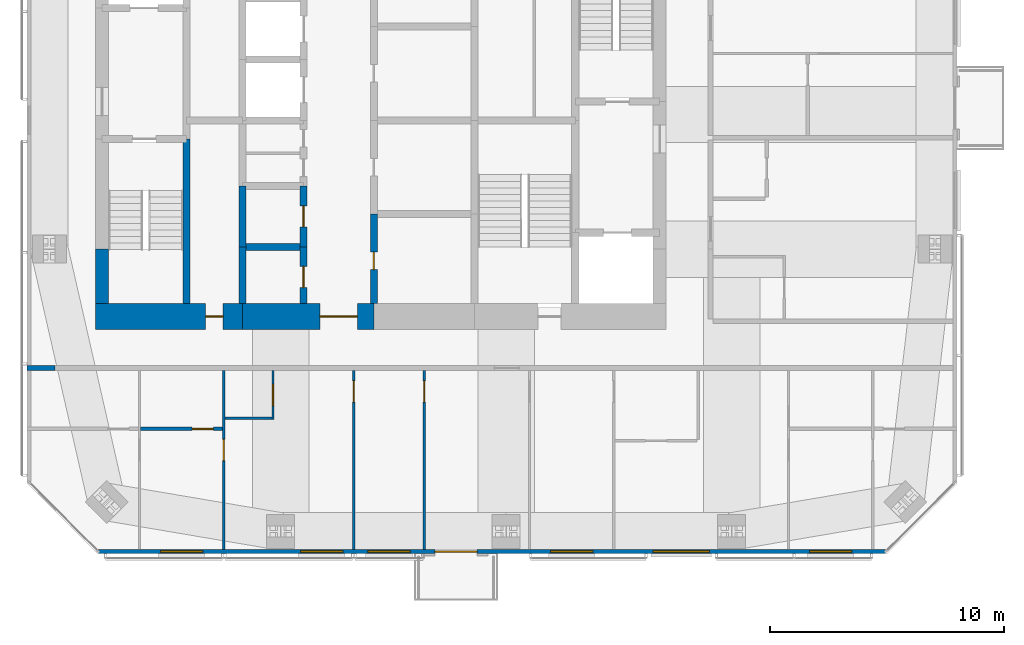
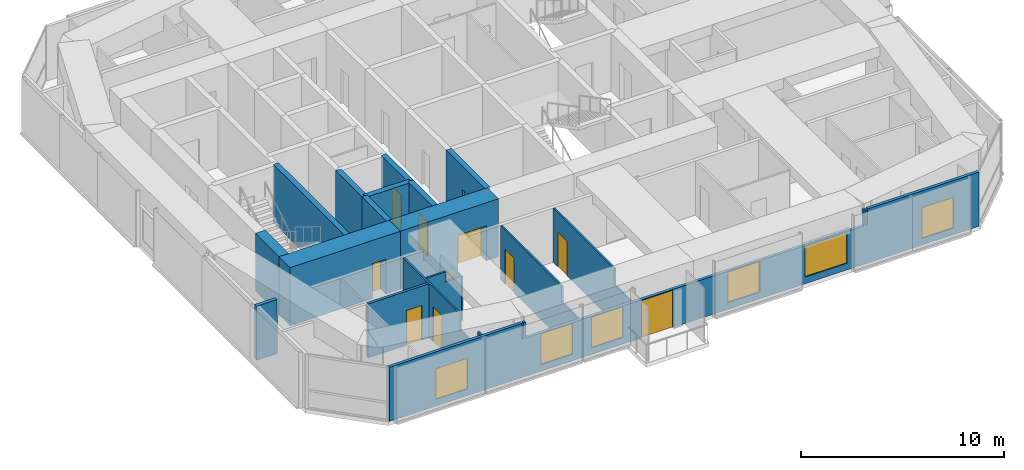
# One storey, part 13 of 18: 18 walls, 11 doors, 6 windows, 17 openings.
"""IFC4 building model written with IfcOpenShell, lengths in metres."""

from ifc_helpers import new_model, si_unit, direction, frame, frame_2d, origin, place, context, subcontext, project, spatial, polyline, rectangle, outline, extrude, material, layer, layer_set, constituent, constituent_set, type_object, element, fill, save


model = new_model("IFC4")

# Units and contexts
model_context = context("Model", 3, precision=1e-05, world=origin(), true_north=direction((0.0, 1.0)))
body_context = subcontext(model_context, "Body", "Model", "MODEL_VIEW")
ifc_project = project(units=[si_unit("LENGTHUNIT", "METRE"), si_unit("AREAUNIT", "SQUARE_METRE"), si_unit("VOLUMEUNIT", "CUBIC_METRE"), si_unit("PLANEANGLEUNIT", "RADIAN"), si_unit("MASSUNIT", "GRAM", prefix="KILO")], contexts=[model_context])

# Site, building, storey
site_placement = place(None, origin())
site = spatial("IfcSite", under=ifc_project, at=site_placement, CompositionType="ELEMENT")
building_placement = place(site_placement, origin())
building = spatial("IfcBuilding", under=site, at=building_placement, Name="Jalousie Tower", CompositionType="ELEMENT")
storey_placement = place(building_placement, frame((0.0, 0.0, 249.449951171875)))
storey = spatial("IfcBuildingStorey", under=building, at=storey_placement, Name="L68", CompositionType="ELEMENT", Elevation=249.449951171875)

# Wall, opening, door
ifc_material_1 = material(Name="Concrete block ASTM C90", Category="concrete")
ifc_constituent_1 = constituent(ifc_material_1, Name="Body")
ifc_material_2 = material(Name="Render")
ifc_constituent_2 = constituent(ifc_material_2, Name="Finish")
ifc_constituent_set_1 = constituent_set(constituents=[ifc_constituent_1, ifc_constituent_2])
wall_type_1 = type_object("IfcWallType", Name="BATHROOM WALL 150", PredefinedType="PLUMBINGWALL", material=ifc_constituent_set_1)
wall_1_placement = place(storey_placement, frame((21.64990234375, 5.324951171875, 0.0), z_axis=(0.0, 0.0, 1.0), x_axis=(1.0, 0.0, 0.0)))
wall_1 = element("IfcWall", 1, at=wall_1_placement, inside=storey, type_object=wall_type_1, Name="Bathroom Wall 150 L68", PredefinedType="PLUMBINGWALL", context=body_context, shape_type="SweptSolid", body=[
    extrude(rectangle(XDim=3.5, YDim=0.14990234375, at=frame_2d((1.75, 0.0))), origin(), (0.0, 0.0, 1.0), 3.260009765625),
])
opening_1_placement = place(wall_1_placement, frame((2.199951171875, 0.0, 0.0)))
opening_1 = element("IfcOpeningElement", 2, at=opening_1_placement, cuts=wall_1, Name="Opening D3", PredefinedType="OPENING", context=body_context, shape_type="SweptSolid", body=[
    extrude(rectangle(XDim=0.89990234375, YDim=2.10009765625, at=frame_2d((0.449951171875, 1.050048828125))), frame((0.0, 0.0849609375, 0.0), z_axis=(0.0, -1.0, 0.0), x_axis=(1.0, 0.0, 0.0)), (0.0, 0.0, 1.0), 0.169921875),
])
ifc_material_3 = material(Name="Timber door", Category="wood")
door_type_1 = type_object("IfcDoorType", Name="BATHROOM DOOR 900", OperationType="SINGLE_SWING_LEFT", PredefinedType="DOOR", material=ifc_material_3)
door_1_placement = place(opening_1_placement, origin())
door_1 = element("IfcDoor", 3, at=door_1_placement, inside=storey, type_object=door_type_1, Name="Apartment 6801 bedroom 2 bathroom door", OperationType="SINGLE_SWING_RIGHT", OverallHeight=2.10009765625, OverallWidth=0.89990234375, PredefinedType="DOOR", context=body_context, shape_type="SweptSolid", body=[
    extrude(rectangle(XDim=0.89990234375, YDim=2.10009765625, at=frame_2d((0.449951171875, 1.050048828125))), frame((0.0, 0.02490234375, 0.0), z_axis=(0.0, -1.0, 0.0), x_axis=(1.0, 0.0, 0.0)), (0.0, 0.0, 1.0), 0.050048828125),
])
fill(opening_1, door_1)

ifc_material_4 = material(Name="Concrete f'c 120 MPa", Category="concrete")
ifc_layer_1 = layer(ifc_material_4, 1.10009765625)
ifc_layer_set_1 = layer_set([ifc_layer_1], Name="Concrete f'c 120 MPa")
wall_type_2 = type_object("IfcWallType", Name="CORE WALL 1100", PredefinedType="SHEAR", material=ifc_layer_set_1)
wall_2_placement = place(storey_placement, frame((19.72509765625, 10.125, 0.0), z_axis=(0.0, 0.0, 1.0), x_axis=(1.0, 0.0, 0.0)))
wall_2 = element("IfcWall", 4, at=wall_2_placement, inside=storey, type_object=wall_type_2, Name="Core wall SA L68", PredefinedType="SHEAR", context=body_context, shape_type="SweptSolid", body=[
    extrude(rectangle(XDim=6.27490234375, YDim=1.10009765625, at=frame_2d((3.137451171875, 0.0))), origin(), (0.0, 0.0, 1.0), 3.5),
])
opening_2_placement = place(wall_2_placement, frame((4.699951171875, 0.0, 0.0)))
opening_2 = element("IfcOpeningElement", 5, at=opening_2_placement, cuts=wall_2, Name="Opening D16", PredefinedType="OPENING", context=body_context, shape_type="SweptSolid", body=[
    extrude(rectangle(XDim=0.75, YDim=2.10009765625, at=frame_2d((0.375, 1.050048828125))), frame((0.0, 0.56005859375, 0.0), z_axis=(0.0, -1.0, 0.0), x_axis=(1.0, 0.0, 0.0)), (0.0, 0.0, 1.0), 1.1201171875),
])
ifc_material_5 = material(Name="Steel fire door", Category="steel")
door_type_2 = type_object("IfcDoorType", Name="RISER DOOR 750", OperationType="SINGLE_SWING_LEFT", PredefinedType="DOOR", material=ifc_material_5)
door_2_placement = place(opening_2_placement, origin())
door_2 = element("IfcDoor", 6, at=door_2_placement, inside=storey, type_object=door_type_2, Name="South riser door", OperationType="SINGLE_SWING_RIGHT", OverallHeight=2.10009765625, OverallWidth=0.75, PredefinedType="DOOR", context=body_context, shape_type="SweptSolid", body=[
    extrude(rectangle(XDim=0.75, YDim=2.10009765625, at=frame_2d((0.375, 1.050048828125))), frame((0.0, 0.02490234375, 0.0), z_axis=(0.0, -1.0, 0.0), x_axis=(1.0, 0.0, 0.0)), (0.0, 0.0, 1.0), 0.050048828125),
])
fill(opening_2, door_2)

wall_3_placement = place(storey_placement, frame((26.0, 10.125, 0.0), z_axis=(0.0, 0.0, 1.0), x_axis=(1.0, 0.0, 0.0)))
wall_3 = element("IfcWall", 7, at=wall_3_placement, inside=storey, type_object=wall_type_2, Name="Core wall SB L68", PredefinedType="SHEAR", context=body_context, shape_type="SweptSolid", body=[
    extrude(rectangle(XDim=5.60009765625, YDim=1.10009765625, at=frame_2d((2.800048828125, 0.0))), origin(), (0.0, 0.0, 1.0), 3.5),
])
opening_3_placement = place(wall_3_placement, frame((3.300048828125, 0.0, 0.0)))
opening_3 = element("IfcOpeningElement", 8, at=opening_3_placement, cuts=wall_3, Name="Opening D15", PredefinedType="OPENING", context=body_context, shape_type="SweptSolid", body=[
    extrude(rectangle(XDim=1.60009765625, YDim=2.10009765625, at=frame_2d((0.800048828125, 1.050048828125))), frame((0.0, 0.56005859375, 0.0), z_axis=(0.0, -1.0, 0.0), x_axis=(1.0, 0.0, 0.0)), (0.0, 0.0, 1.0), 1.1201171875),
])
ifc_material_6 = material(Name="Steel fire door", Category="steel")
door_type_3 = type_object("IfcDoorType", Name="LIFT LOBBY DOOR 1600", OperationType="DOUBLE_DOOR_SINGLE_SWING", PredefinedType="DOOR", material=ifc_material_6)
door_3_placement = place(opening_3_placement, origin())
door_3 = element("IfcDoor", 9, at=door_3_placement, inside=storey, type_object=door_type_3, Name="Lift lobby south door", OperationType="DOUBLE_DOOR_SINGLE_SWING", OverallHeight=2.10009765625, OverallWidth=1.60009765625, PredefinedType="DOOR", context=body_context, shape_type="SweptSolid", body=[
    extrude(rectangle(XDim=1.60009765625, YDim=2.10009765625, at=frame_2d((0.800048828125, 1.050048828125))), frame((0.0, 0.02490234375, 0.0), z_axis=(0.0, -1.0, 0.0), x_axis=(1.0, 0.0, 0.0)), (0.0, 0.0, 1.0), 0.050048828125),
])
fill(opening_3, door_3)

# Walls
ifc_material_7 = material(Name="Concrete f'c 120 MPa", Category="concrete")
ifc_layer_2 = layer(ifc_material_7, 0.300048828125)
ifc_layer_set_2 = layer_set([ifc_layer_2], Name="Concrete f'c 120 MPa")
wall_type_3 = type_object("IfcWallType", Name="CORE WALL 300", PredefinedType="SHEAR", material=ifc_layer_set_2)
wall_4_placement = place(storey_placement, frame((23.60009765625, 10.675048828125, 0.0), z_axis=(0.0, 0.0, 1.0), x_axis=(0.0, 1.0, 0.0)))
element("IfcWall", 10, at=wall_4_placement, inside=storey, type_object=wall_type_3, Name="Core wall X23.6A L68", PredefinedType="SHEAR", context=body_context, shape_type="SweptSolid", body=[
    extrude(rectangle(XDim=7.02490234375, YDim=0.300048828125, at=frame_2d((3.512451171875, 0.0))), origin(), (0.0, 0.0, 1.0), 3.5),
])
wall_5_placement = place(storey_placement, frame((26.0, 10.675048828125, 0.0), z_axis=(0.0, 0.0, 1.0), x_axis=(0.0, 1.0, 0.0)))
element("IfcWall", 11, at=wall_5_placement, inside=storey, type_object=wall_type_3, Name="Core wall X26A L68", PredefinedType="SHEAR", context=body_context, shape_type="SweptSolid", body=[
    extrude(rectangle(XDim=2.425048828125, YDim=0.300048828125, at=frame_2d((1.21240234375, 0.0))), origin(), (0.0, 0.0, 1.0), 3.5),
])
wall_6_placement = place(storey_placement, frame((26.0, 13.10009765625, 0.0), z_axis=(0.0, 0.0, 1.0), x_axis=(0.0, 1.0, 0.0)))
element("IfcWall", 12, at=wall_6_placement, inside=storey, type_object=wall_type_3, Name="Core wall X26B L68", PredefinedType="SHEAR", context=body_context, shape_type="SweptSolid", body=[
    extrude(rectangle(XDim=2.599853515625, YDim=0.300048828125, at=frame_2d((1.2998046875, 0.0))), origin(), (0.0, 0.0, 1.0), 3.5),
])

# Wall, opening, door
wall_7_placement = place(storey_placement, frame((28.60009765625, 10.675048828125, 0.0), z_axis=(0.0, 0.0, 1.0), x_axis=(0.0, 1.0, 0.0)))
wall_7 = element("IfcWall", 13, at=wall_7_placement, inside=storey, type_object=wall_type_3, Name="Core wall X28.6A L68", PredefinedType="SHEAR", context=body_context, shape_type="SweptSolid", body=[
    extrude(rectangle(XDim=2.425048828125, YDim=0.300048828125, at=frame_2d((1.21240234375, 0.0))), origin(), (0.0, 0.0, 1.0), 3.5),
])
opening_4_placement = place(wall_7_placement, frame((0.6875, 0.0, 0.0)))
opening_4 = element("IfcOpeningElement", 14, at=opening_4_placement, cuts=wall_7, Name="Opening D24", PredefinedType="OPENING", context=body_context, shape_type="SweptSolid", body=[
    extrude(rectangle(XDim=0.89990234375, YDim=2.10009765625, at=frame_2d((0.449951171875, 1.050048828125))), frame((0.0, 0.159912109375, 0.0), z_axis=(0.0, -1.0, 0.0), x_axis=(1.0, 0.0, 0.0)), (0.0, 0.0, 1.0), 0.320068359375),
])
ifc_material_8 = material(Name="Steel fire door", Category="steel")
door_type_4 = type_object("IfcDoorType", Name="CORE ROOM DOOR 900", OperationType="SINGLE_SWING_LEFT", PredefinedType="DOOR", material=ifc_material_8)
door_4_placement = place(opening_4_placement, origin())
door_4 = element("IfcDoor", 15, at=door_4_placement, inside=storey, type_object=door_type_4, Name="Staff WC door", OperationType="SINGLE_SWING_RIGHT", OverallHeight=2.10009765625, OverallWidth=0.89990234375, PredefinedType="DOOR", context=body_context, shape_type="SweptSolid", body=[
    extrude(rectangle(XDim=0.89990234375, YDim=2.10009765625, at=frame_2d((0.449951171875, 1.050048828125))), frame((0.0, 0.02490234375, 0.0), z_axis=(0.0, -1.0, 0.0), x_axis=(1.0, 0.0, 0.0)), (0.0, 0.0, 1.0), 0.050048828125),
])
fill(opening_4, door_4)

wall_8_placement = place(storey_placement, frame((28.60009765625, 13.10009765625, 0.0), z_axis=(0.0, 0.0, 1.0), x_axis=(0.0, 1.0, 0.0)))
wall_8 = element("IfcWall", 16, at=wall_8_placement, inside=storey, type_object=wall_type_3, Name="Core wall X28.6B L68", PredefinedType="SHEAR", context=body_context, shape_type="SweptSolid", body=[
    extrude(rectangle(XDim=2.599853515625, YDim=0.300048828125, at=frame_2d((1.2998046875, 0.0))), origin(), (0.0, 0.0, 1.0), 3.5),
])
opening_5_placement = place(wall_8_placement, frame((0.85009765625, 0.0, 0.0)))
opening_5 = element("IfcOpeningElement", 17, at=opening_5_placement, cuts=wall_8, Name="Opening D24", PredefinedType="OPENING", context=body_context, shape_type="SweptSolid", body=[
    extrude(rectangle(XDim=0.89990234375, YDim=2.10009765625, at=frame_2d((0.449951171875, 1.050048828125))), frame((0.0, 0.159912109375, 0.0), z_axis=(0.0, -1.0, 0.0), x_axis=(1.0, 0.0, 0.0)), (0.0, 0.0, 1.0), 0.320068359375),
])
door_5_placement = place(opening_5_placement, origin())
door_5 = element("IfcDoor", 18, at=door_5_placement, inside=storey, type_object=door_type_4, Name="Pantry door", OperationType="SINGLE_SWING_RIGHT", OverallHeight=2.10009765625, OverallWidth=0.89990234375, PredefinedType="DOOR", context=body_context, shape_type="SweptSolid", body=[
    extrude(rectangle(XDim=0.89990234375, YDim=2.10009765625, at=frame_2d((0.449951171875, 1.050048828125))), frame((0.0, 0.02490234375, 0.0), z_axis=(0.0, -1.0, 0.0), x_axis=(1.0, 0.0, 0.0)), (0.0, 0.0, 1.0), 0.050048828125),
])
fill(opening_5, door_5)

wall_9_placement = place(storey_placement, frame((31.60009765625, 10.675048828125, 0.0), z_axis=(0.0, 0.0, 1.0), x_axis=(0.0, 1.0, 0.0)))
wall_9 = element("IfcWall", 19, at=wall_9_placement, inside=storey, type_object=wall_type_3, Name="Core wall X31.6A L68", PredefinedType="SHEAR", context=body_context, shape_type="SweptSolid", body=[
    extrude(rectangle(XDim=3.824951171875, YDim=0.300048828125, at=frame_2d((1.91259765625, 0.0))), origin(), (0.0, 0.0, 1.0), 3.5),
])
opening_6_placement = place(wall_9_placement, frame((1.449951171875, 0.0, 0.0)))
opening_6 = element("IfcOpeningElement", 20, at=opening_6_placement, cuts=wall_9, Name="Opening D16", PredefinedType="OPENING", context=body_context, shape_type="SweptSolid", body=[
    extrude(rectangle(XDim=0.75, YDim=2.10009765625, at=frame_2d((0.375, 1.050048828125))), frame((0.0, 0.159912109375, 0.0), z_axis=(0.0, -1.0, 0.0), x_axis=(1.0, 0.0, 0.0)), (0.0, 0.0, 1.0), 0.320068359375),
])
door_6_placement = place(opening_6_placement, frame((0.75, 0.0, 0.0), z_axis=(0.0, 0.0, 1.0), x_axis=(-1.0, 0.0, 0.0)))
door_6 = element("IfcDoor", 21, at=door_6_placement, inside=storey, type_object=door_type_2, Name="Refuse Room door", OperationType="SINGLE_SWING_RIGHT", OverallHeight=2.10009765625, OverallWidth=0.75, PredefinedType="DOOR", context=body_context, shape_type="SweptSolid", body=[
    extrude(rectangle(XDim=0.75, YDim=2.10009765625, at=frame_2d((0.375, 1.050048828125))), frame((0.0, 0.02490234375, 0.0), z_axis=(0.0, -1.0, 0.0), x_axis=(1.0, 0.0, 0.0)), (0.0, 0.0, 1.0), 0.050048828125),
])
fill(opening_6, door_6)

# Walls
wall_10_placement = place(storey_placement, frame((26.0, 13.10009765625, 0.0), z_axis=(0.0, 0.0, 1.0), x_axis=(1.0, 0.0, 0.0)))
element("IfcWall", 22, at=wall_10_placement, inside=storey, type_object=wall_type_3, Name="Core wall Y26-13.1 L68", PredefinedType="SHEAR", context=body_context, shape_type="SweptSolid", body=[
    extrude(rectangle(XDim=2.60009765625, YDim=0.300048828125, at=frame_2d((1.300048828125, 0.0))), origin(), (0.0, 0.0, 1.0), 3.5),
])
ifc_material_9 = material(Name="Concrete f'c 120 MPa", Category="concrete")
ifc_layer_3 = layer(ifc_material_9, 0.550048828125)
ifc_layer_set_3 = layer_set([ifc_layer_3], Name="Concrete f'c 120 MPa")
wall_type_4 = type_object("IfcWallType", Name="CORE WALL 550", PredefinedType="SHEAR", material=ifc_layer_set_3)
wall_11_placement = place(storey_placement, frame((20.0, 13.0, 0.0), z_axis=(0.0, 0.0, 1.0), x_axis=(0.0, -1.0, 0.0)))
element("IfcWall", 23, at=wall_11_placement, inside=storey, type_object=wall_type_4, Name="Core wall WD L68", PredefinedType="SHEAR", context=body_context, shape_type="SweptSolid", body=[
    extrude(rectangle(XDim=2.324951171875, YDim=0.550048828125, at=frame_2d((1.16259765625, 0.0))), origin(), (0.0, 0.0, 1.0), 3.5),
])

# Wall, openings, door, windows
ifc_material_10 = material(Name="Concrete f'c 40 MPa", Category="concrete")
ifc_constituent_3 = constituent(ifc_material_10, Name="Body")
ifc_material_11 = material(Name="Render, pastel sky blue")
ifc_constituent_4 = constituent(ifc_material_11, Name="Finish")
ifc_constituent_set_2 = constituent_set(constituents=[ifc_constituent_3, ifc_constituent_4])
wall_type_5 = type_object("IfcWallType", Name="EXTERNAL WALL 175 SKY BLUE RENDER", PredefinedType="SOLIDWALL", material=ifc_constituent_set_2)
wall_12_placement = place(storey_placement, frame((19.851318359375, 0.08740234375, 0.0), z_axis=(0.0, 0.0, 1.0), x_axis=(1.0, 0.0, 0.0)))
wall_12 = element("IfcWall", 24, at=wall_12_placement, inside=storey, type_object=wall_type_5, Name="External Wall 175 Sky Blue Render L68", PredefinedType="SOLIDWALL", context=body_context, shape_type="SweptSolid", body=[
    extrude(outline(polyline([(0.0, 0.0), (33.597412109375, 0.0), (33.597412109375, 3.260009765625), (27.238525390625, 3.260009765625), (27.238525390625, 2.300048828125), (27.155029296875, 2.300048828125), (27.155029296875, 3.260009765625), (27.023681640625, 3.260009765625), (27.023681640625, 2.300048828125), (7.773681640625, 2.300048828125), (7.773681640625, 3.260009765625), (7.642333984375, 3.260009765625), (7.642333984375, 2.300048828125), (7.558837890625, 2.300048828125), (7.558837890625, 3.260009765625), (0.0, 3.260009765625), (0.0, 0.0)])), frame((0.0, 0.08740234375, 0.0), z_axis=(0.0, -1.0, 0.0), x_axis=(1.0, 0.0, 0.0)), (0.0, 0.0, 1.0), 0.175048828125),
])
opening_7_placement = place(wall_12_placement, frame((2.648681640625, 0.0, 0.39990234375)))
opening_7 = element("IfcOpeningElement", 25, at=opening_7_placement, cuts=wall_12, Name="Opening W-BED185", PredefinedType="OPENING", context=body_context, shape_type="SweptSolid", body=[
    extrude(rectangle(XDim=1.800048828125, YDim=1.85009765625, at=frame_2d((0.89990234375, 0.925048828125))), frame((0.0, 0.097412109375, 0.0), z_axis=(0.0, -1.0, 0.0), x_axis=(1.0, 0.0, 0.0)), (0.0, 0.0, 1.0), 0.195068359375),
])
opening_8_placement = place(wall_12_placement, frame((8.625, 0.0, 0.39990234375)))
opening_8 = element("IfcOpeningElement", 26, at=opening_8_placement, cuts=wall_12, Name="Opening W-BED185", PredefinedType="OPENING", context=body_context, shape_type="SweptSolid", body=[
    extrude(rectangle(XDim=1.800048828125, YDim=1.85009765625, at=frame_2d((0.89990234375, 0.925048828125))), frame((0.0, 0.097412109375, 0.0), z_axis=(0.0, -1.0, 0.0), x_axis=(1.0, 0.0, 0.0)), (0.0, 0.0, 1.0), 0.195068359375),
])
opening_9_placement = place(wall_12_placement, frame((11.498779296875, 0.0, 0.39990234375)))
opening_9 = element("IfcOpeningElement", 27, at=opening_9_placement, cuts=wall_12, Name="Opening W-BED185", PredefinedType="OPENING", context=body_context, shape_type="SweptSolid", body=[
    extrude(rectangle(XDim=1.800048828125, YDim=1.85009765625, at=frame_2d((0.89990234375, 0.925048828125))), frame((0.0, 0.097412109375, 0.0), z_axis=(0.0, -1.0, 0.0), x_axis=(1.0, 0.0, 0.0)), (0.0, 0.0, 1.0), 0.195068359375),
])
opening_10_placement = place(wall_12_placement, frame((14.358642578125, 0.0, 0.0)))
opening_10 = element("IfcOpeningElement", 28, at=opening_10_placement, cuts=wall_12, Name="Opening D-BAL22", PredefinedType="OPENING", context=body_context, shape_type="SweptSolid", body=[
    extrude(rectangle(XDim=1.800048828125, YDim=2.25, at=frame_2d((0.89990234375, 1.125))), frame((0.0, 0.097412109375, 0.0), z_axis=(0.0, -1.0, 0.0), x_axis=(1.0, 0.0, 0.0)), (0.0, 0.0, 1.0), 0.195068359375),
])
opening_11_placement = place(wall_12_placement, frame((19.298583984375, 0.0, 0.39990234375)))
opening_11 = element("IfcOpeningElement", 29, at=opening_11_placement, cuts=wall_12, Name="Opening W-BED185", PredefinedType="OPENING", context=body_context, shape_type="SweptSolid", body=[
    extrude(rectangle(XDim=1.800048828125, YDim=1.85009765625, at=frame_2d((0.89990234375, 0.925048828125))), frame((0.0, 0.097412109375, 0.0), z_axis=(0.0, -1.0, 0.0), x_axis=(1.0, 0.0, 0.0)), (0.0, 0.0, 1.0), 0.195068359375),
])
opening_12_placement = place(wall_12_placement, frame((23.673583984375, 0.0, 0.39990234375)))
opening_12 = element("IfcOpeningElement", 30, at=opening_12_placement, cuts=wall_12, Name="Opening W-LIV185", PredefinedType="OPENING", context=body_context, shape_type="SweptSolid", body=[
    extrude(rectangle(XDim=2.39990234375, YDim=1.85009765625, at=frame_2d((1.199951171875, 0.925048828125))), frame((0.0, 0.097412109375, 0.0), z_axis=(0.0, -1.0, 0.0), x_axis=(1.0, 0.0, 0.0)), (0.0, 0.0, 1.0), 0.195068359375),
])
opening_13_placement = place(wall_12_placement, frame((30.3486328125, 0.0, 0.39990234375)))
opening_13 = element("IfcOpeningElement", 31, at=opening_13_placement, cuts=wall_12, Name="Opening W-BED185", PredefinedType="OPENING", context=body_context, shape_type="SweptSolid", body=[
    extrude(rectangle(XDim=1.800048828125, YDim=1.85009765625, at=frame_2d((0.89990234375, 0.925048828125))), frame((0.0, 0.097412109375, 0.0), z_axis=(0.0, -1.0, 0.0), x_axis=(1.0, 0.0, 0.0)), (0.0, 0.0, 1.0), 0.195068359375),
])
ifc_material_12 = material(Name="Aluminium frame, impact-rated glazing", Category="aluminium")
door_type_5 = type_object("IfcDoorType", Name="BALCONY DOOR 1800x2250", OperationType="SLIDING_TO_LEFT", PredefinedType="DOOR", material=ifc_material_12)
door_7_placement = place(opening_10_placement, origin())
door_7 = element("IfcDoor", 32, at=door_7_placement, inside=storey, type_object=door_type_5, Name="Apartment 6801 snug balcony door", OperationType="SLIDING_TO_LEFT", OverallHeight=2.25, OverallWidth=1.800048828125, PredefinedType="DOOR", context=body_context, shape_type="SweptSolid", body=[
    extrude(rectangle(XDim=1.800048828125, YDim=2.25, at=frame_2d((0.89990234375, 1.125))), frame((0.0, 0.02490234375, 0.0), z_axis=(0.0, -1.0, 0.0), x_axis=(1.0, 0.0, 0.0)), (0.0, 0.0, 1.0), 0.050048828125),
])
fill(opening_10, door_7)
ifc_material_13 = material(Name="Aluminium frame, impact-rated glazing", Category="aluminium")
window_type_1 = type_object("IfcWindowType", Name="WINDOW BED 1800x1850", PartitioningType="SINGLE_PANEL", PredefinedType="WINDOW", material=ifc_material_13)
window_1_placement = place(opening_7_placement, origin())
window_1 = element("IfcWindow", 33, at=window_1_placement, inside=storey, type_object=window_type_1, Name="Apartment 6801 bedroom 2 window", OverallHeight=1.85009765625, OverallWidth=1.800048828125, PartitioningType="SINGLE_PANEL", PredefinedType="WINDOW", context=body_context, shape_type="SweptSolid", body=[
    extrude(rectangle(XDim=1.800048828125, YDim=1.85009765625, at=frame_2d((0.89990234375, 0.925048828125))), frame((0.0, 0.030029296875, 0.0), z_axis=(0.0, -1.0, 0.0), x_axis=(1.0, 0.0, 0.0)), (0.0, 0.0, 1.0), 0.06005859375),
])
fill(opening_7, window_1)
window_2_placement = place(opening_8_placement, origin())
window_2 = element("IfcWindow", 34, at=window_2_placement, inside=storey, type_object=window_type_1, Name="Apartment 6801 study window", OverallHeight=1.85009765625, OverallWidth=1.800048828125, PartitioningType="SINGLE_PANEL", PredefinedType="WINDOW", context=body_context, shape_type="SweptSolid", body=[
    extrude(rectangle(XDim=1.800048828125, YDim=1.85009765625, at=frame_2d((0.89990234375, 0.925048828125))), frame((0.0, 0.030029296875, 0.0), z_axis=(0.0, -1.0, 0.0), x_axis=(1.0, 0.0, 0.0)), (0.0, 0.0, 1.0), 0.06005859375),
])
fill(opening_8, window_2)
window_3_placement = place(opening_9_placement, origin())
window_3 = element("IfcWindow", 35, at=window_3_placement, inside=storey, type_object=window_type_1, Name="Apartment 6801 home office window", OverallHeight=1.85009765625, OverallWidth=1.800048828125, PartitioningType="SINGLE_PANEL", PredefinedType="WINDOW", context=body_context, shape_type="SweptSolid", body=[
    extrude(rectangle(XDim=1.800048828125, YDim=1.85009765625, at=frame_2d((0.89990234375, 0.925048828125))), frame((0.0, 0.030029296875, 0.0), z_axis=(0.0, -1.0, 0.0), x_axis=(1.0, 0.0, 0.0)), (0.0, 0.0, 1.0), 0.06005859375),
])
fill(opening_9, window_3)
window_4_placement = place(opening_11_placement, origin())
window_4 = element("IfcWindow", 36, at=window_4_placement, inside=storey, type_object=window_type_1, Name="Apartment 6801 den window", OverallHeight=1.85009765625, OverallWidth=1.800048828125, PartitioningType="SINGLE_PANEL", PredefinedType="WINDOW", context=body_context, shape_type="SweptSolid", body=[
    extrude(rectangle(XDim=1.800048828125, YDim=1.85009765625, at=frame_2d((0.89990234375, 0.925048828125))), frame((0.0, 0.030029296875, 0.0), z_axis=(0.0, -1.0, 0.0), x_axis=(1.0, 0.0, 0.0)), (0.0, 0.0, 1.0), 0.06005859375),
])
fill(opening_11, window_4)
window_5_placement = place(opening_13_placement, origin())
window_5 = element("IfcWindow", 37, at=window_5_placement, inside=storey, type_object=window_type_1, Name="Apartment 6801 bedroom 3 window", OverallHeight=1.85009765625, OverallWidth=1.800048828125, PartitioningType="SINGLE_PANEL", PredefinedType="WINDOW", context=body_context, shape_type="SweptSolid", body=[
    extrude(rectangle(XDim=1.800048828125, YDim=1.85009765625, at=frame_2d((0.89990234375, 0.925048828125))), frame((0.0, 0.030029296875, 0.0), z_axis=(0.0, -1.0, 0.0), x_axis=(1.0, 0.0, 0.0)), (0.0, 0.0, 1.0), 0.06005859375),
])
fill(opening_13, window_5)
ifc_material_14 = material(Name="Aluminium frame, impact-rated glazing", Category="aluminium")
window_type_2 = type_object("IfcWindowType", Name="WINDOW LIV 2400x1850", PartitioningType="DOUBLE_PANEL_VERTICAL", PredefinedType="WINDOW", material=ifc_material_14)
window_6_placement = place(opening_12_placement, origin())
window_6 = element("IfcWindow", 38, at=window_6_placement, inside=storey, type_object=window_type_2, Name="Apartment 6801 living and dining room window", OverallHeight=1.85009765625, OverallWidth=2.39990234375, PartitioningType="SINGLE_PANEL", PredefinedType="WINDOW", context=body_context, shape_type="SweptSolid", body=[
    extrude(rectangle(XDim=2.39990234375, YDim=1.85009765625, at=frame_2d((1.199951171875, 0.925048828125))), frame((0.0, 0.030029296875, 0.0), z_axis=(0.0, -1.0, 0.0), x_axis=(1.0, 0.0, 0.0)), (0.0, 0.0, 1.0), 0.06005859375),
])
fill(opening_12, window_6)

# Wall, opening, door
ifc_material_15 = material(Name="Gypsum board", Category="gypsum")
ifc_constituent_5 = constituent(ifc_material_15, Name="Body")
ifc_material_16 = material(Name="Light-gauge steel studs ASTM A653 SS Grade 33", Category="steel")
ifc_constituent_6 = constituent(ifc_material_16, Name="Framing")
ifc_constituent_set_3 = constituent_set(constituents=[ifc_constituent_5, ifc_constituent_6])
wall_type_6 = type_object("IfcWallType", Name="PARTITION 100", PredefinedType="PARTITIONING", material=ifc_constituent_set_3)
wall_13_placement = place(storey_placement, frame((25.199951171875, 0.175048828125, 0.0), z_axis=(0.0, 0.0, 1.0), x_axis=(0.0, 1.0, 0.0)))
wall_13 = element("IfcWall", 39, at=wall_13_placement, inside=storey, type_object=wall_type_6, Name="Partition 100 L68", PredefinedType="PARTITIONING", context=body_context, shape_type="SweptSolid", body=[
    extrude(outline(polyline([(0.0, 0.0), (7.64990234375, 0.0), (7.64990234375, 3.260009765625), (2.05810546875, 3.260009765625), (2.05810546875, 2.300048828125), (0.313720703125, 2.300048828125), (0.313720703125, 3.260009765625), (0.0, 3.260009765625), (0.0, 0.0)])), frame((0.0, 0.050048828125, 0.0), z_axis=(0.0, -1.0, 0.0), x_axis=(1.0, 0.0, 0.0)), (0.0, 0.0, 1.0), 0.10009765625),
])
opening_14_placement = place(wall_13_placement, frame((3.800048828125, 0.0, 0.0)))
opening_14 = element("IfcOpeningElement", 40, at=opening_14_placement, cuts=wall_13, Name="Opening D2", PredefinedType="OPENING", context=body_context, shape_type="SweptSolid", body=[
    extrude(rectangle(XDim=0.89990234375, YDim=2.10009765625, at=frame_2d((0.449951171875, 1.050048828125))), frame((0.0, 0.06005859375, 0.0), z_axis=(0.0, -1.0, 0.0), x_axis=(1.0, 0.0, 0.0)), (0.0, 0.0, 1.0), 0.1201171875),
])
ifc_material_17 = material(Name="Timber door", Category="wood")
door_type_6 = type_object("IfcDoorType", Name="BEDROOM DOOR 900", OperationType="SINGLE_SWING_LEFT", PredefinedType="DOOR", material=ifc_material_17)
door_8_placement = place(opening_14_placement, frame((0.89990234375, 0.0, 0.0), z_axis=(0.0, 0.0, 1.0), x_axis=(-1.0, 0.0, 0.0)))
door_8 = element("IfcDoor", 41, at=door_8_placement, inside=storey, type_object=door_type_6, Name="Apartment 6801 bedroom 2 door", OperationType="SINGLE_SWING_LEFT", OverallHeight=2.10009765625, OverallWidth=0.89990234375, PredefinedType="DOOR", context=body_context, shape_type="SweptSolid", body=[
    extrude(rectangle(XDim=0.89990234375, YDim=2.10009765625, at=frame_2d((0.449951171875, 1.050048828125))), frame((0.0, 0.02490234375, 0.0), z_axis=(0.0, -1.0, 0.0), x_axis=(1.0, 0.0, 0.0)), (0.0, 0.0, 1.0), 0.050048828125),
])
fill(opening_14, door_8)

wall_14_placement = place(storey_placement, frame((30.75, 0.175048828125, 0.0), z_axis=(0.0, 0.0, 1.0), x_axis=(0.0, 1.0, 0.0)))
wall_14 = element("IfcWall", 42, at=wall_14_placement, inside=storey, type_object=wall_type_6, Name="Partition 100 L68", PredefinedType="PARTITIONING", context=body_context, shape_type="SweptSolid", body=[
    extrude(outline(polyline([(0.0, 0.0), (7.64990234375, 0.0), (7.64990234375, 3.260009765625), (1.635009765625, 3.260009765625), (1.635009765625, 2.300048828125), (0.0, 2.300048828125), (0.0, 3.260009765625), (0.0, 0.0)])), frame((0.0, 0.050048828125, 0.0), z_axis=(0.0, -1.0, 0.0), x_axis=(1.0, 0.0, 0.0)), (0.0, 0.0, 1.0), 0.10009765625),
])
opening_15_placement = place(wall_14_placement, frame((6.300048828125, 0.0, 0.0)))
opening_15 = element("IfcOpeningElement", 43, at=opening_15_placement, cuts=wall_14, Name="Opening D2", PredefinedType="OPENING", context=body_context, shape_type="SweptSolid", body=[
    extrude(rectangle(XDim=0.89990234375, YDim=2.10009765625, at=frame_2d((0.449951171875, 1.050048828125))), frame((0.0, 0.06005859375, 0.0), z_axis=(0.0, -1.0, 0.0), x_axis=(1.0, 0.0, 0.0)), (0.0, 0.0, 1.0), 0.1201171875),
])
door_9_placement = place(opening_15_placement, origin())
door_9 = element("IfcDoor", 44, at=door_9_placement, inside=storey, type_object=door_type_6, Name="Apartment 6801 study door", OperationType="SINGLE_SWING_RIGHT", OverallHeight=2.10009765625, OverallWidth=0.89990234375, PredefinedType="DOOR", context=body_context, shape_type="SweptSolid", body=[
    extrude(rectangle(XDim=0.89990234375, YDim=2.10009765625, at=frame_2d((0.449951171875, 1.050048828125))), frame((0.0, 0.02490234375, 0.0), z_axis=(0.0, -1.0, 0.0), x_axis=(1.0, 0.0, 0.0)), (0.0, 0.0, 1.0), 0.050048828125),
])
fill(opening_15, door_9)

wall_15_placement = place(storey_placement, frame((33.75, 0.175048828125, 0.0), z_axis=(0.0, 0.0, 1.0), x_axis=(0.0, 1.0, 0.0)))
wall_15 = element("IfcWall", 45, at=wall_15_placement, inside=storey, type_object=wall_type_6, Name="Partition 100 L68", PredefinedType="PARTITIONING", context=body_context, shape_type="SweptSolid", body=[
    extrude(outline(polyline([(0.0, 0.0), (7.64990234375, 0.0), (7.64990234375, 3.260009765625), (1.635009765625, 3.260009765625), (1.635009765625, 2.300048828125), (0.0, 2.300048828125), (0.0, 3.260009765625), (0.0, 0.0)])), frame((0.0, 0.050048828125, 0.0), z_axis=(0.0, -1.0, 0.0), x_axis=(1.0, 0.0, 0.0)), (0.0, 0.0, 1.0), 0.10009765625),
])
opening_16_placement = place(wall_15_placement, frame((6.300048828125, 0.0, 0.0)))
opening_16 = element("IfcOpeningElement", 46, at=opening_16_placement, cuts=wall_15, Name="Opening D2", PredefinedType="OPENING", context=body_context, shape_type="SweptSolid", body=[
    extrude(rectangle(XDim=0.89990234375, YDim=2.10009765625, at=frame_2d((0.449951171875, 1.050048828125))), frame((0.0, 0.06005859375, 0.0), z_axis=(0.0, -1.0, 0.0), x_axis=(1.0, 0.0, 0.0)), (0.0, 0.0, 1.0), 0.1201171875),
])
door_10_placement = place(opening_16_placement, frame((0.89990234375, 0.0, 0.0), z_axis=(0.0, 0.0, 1.0), x_axis=(-1.0, 0.0, 0.0)))
door_10 = element("IfcDoor", 47, at=door_10_placement, inside=storey, type_object=door_type_6, Name="Apartment 6801 home office door", OperationType="SINGLE_SWING_LEFT", OverallHeight=2.10009765625, OverallWidth=0.89990234375, PredefinedType="DOOR", context=body_context, shape_type="SweptSolid", body=[
    extrude(rectangle(XDim=0.89990234375, YDim=2.10009765625, at=frame_2d((0.449951171875, 1.050048828125))), frame((0.0, 0.02490234375, 0.0), z_axis=(0.0, -1.0, 0.0), x_axis=(1.0, 0.0, 0.0)), (0.0, 0.0, 1.0), 0.050048828125),
])
fill(opening_16, door_10)

wall_16_placement = place(storey_placement, frame((27.300048828125, 7.824951171875, 0.0), z_axis=(0.0, 0.0, 1.0), x_axis=(0.0, -1.0, 0.0)))
wall_16 = element("IfcWall", 48, at=wall_16_placement, inside=storey, type_object=wall_type_6, Name="Partition 100 L68", PredefinedType="PARTITIONING", context=body_context, shape_type="SweptSolid", body=[
    extrude(outline(polyline([(0.0, 0.0), (2.099853515625, 0.0), (2.10009765625, 3.260009765625), (2.10009765625, 2.66015625), (0.0, 2.66015625), (0.0, 3.260009765625), (0.0, 0.0)])), frame((0.0, 0.050048828125, 0.0), z_axis=(0.0, -1.0, 0.0), x_axis=(1.0, 0.0, 0.0)), (0.0, 0.0, 1.0), 0.10009765625),
])
opening_17_placement = place(wall_16_placement, frame((0.60009765625, 0.0, 0.0)))
opening_17 = element("IfcOpeningElement", 49, at=opening_17_placement, cuts=wall_16, Name="Opening D7", PredefinedType="OPENING", context=body_context, shape_type="SweptSolid", body=[
    extrude(rectangle(XDim=0.89990234375, YDim=2.10009765625, at=frame_2d((0.449951171875, 1.050048828125))), frame((0.0, 0.06005859375, 0.0), z_axis=(0.0, -1.0, 0.0), x_axis=(1.0, 0.0, 0.0)), (0.0, 0.0, 1.0), 0.1201171875),
])
ifc_material_18 = material(Name="Timber door", Category="wood")
door_type_7 = type_object("IfcDoorType", Name="INTERNAL DOOR 900", OperationType="SINGLE_SWING_LEFT", PredefinedType="DOOR", material=ifc_material_18)
door_11_placement = place(opening_17_placement, origin())
door_11 = element("IfcDoor", 50, at=door_11_placement, inside=storey, type_object=door_type_7, Name="Apartment 6801 study store room door", OperationType="SINGLE_SWING_LEFT", OverallHeight=2.10009765625, OverallWidth=0.89990234375, PredefinedType="DOOR", context=body_context, shape_type="SweptSolid", body=[
    extrude(rectangle(XDim=0.89990234375, YDim=2.10009765625, at=frame_2d((0.449951171875, 1.050048828125))), frame((0.0, 0.02490234375, 0.0), z_axis=(0.0, -1.0, 0.0), x_axis=(1.0, 0.0, 0.0)), (0.0, 0.0, 1.0), 0.050048828125),
])
fill(opening_17, door_11)

# Walls
wall_17_placement = place(storey_placement, frame((25.25, 5.77490234375, 0.0), z_axis=(0.0, 0.0, 1.0), x_axis=(1.0, 0.0, 0.0)))
element("IfcWall", 51, at=wall_17_placement, inside=storey, type_object=wall_type_6, Name="Partition 100 L68", PredefinedType="PARTITIONING", context=body_context, shape_type="SweptSolid", body=[
    extrude(outline(polyline([(0.0, 0.0), (2.0, 0.0), (2.0, 3.260009765625), (2.0, 2.66015625), (1.114990234375, 2.66015625), (1.114990234375, 3.260009765625), (0.0, 3.260009765625), (0.0, 0.0)])), frame((0.0, 0.050048828125, 0.0), z_axis=(0.0, -1.0, 0.0), x_axis=(1.0, 0.0, 0.0)), (0.0, 0.0, 1.0), 0.10009765625),
])
ifc_material_19 = material(Name="Concrete block ASTM C90", Category="concrete")
ifc_constituent_7 = constituent(ifc_material_19, Name="Body")
ifc_material_20 = material(Name="Render")
ifc_constituent_8 = constituent(ifc_material_20, Name="Finish")
ifc_constituent_set_4 = constituent_set(constituents=[ifc_constituent_7, ifc_constituent_8])
wall_type_7 = type_object("IfcWallType", Name="PARTY WALL 200", PredefinedType="PARTITIONING", material=ifc_constituent_set_4)
wall_18_placement = place(storey_placement, frame((16.800048828125, 7.925048828125, 0.0), z_axis=(0.0, 0.0, 1.0), x_axis=(1.0, 0.0, 0.0)))
element("IfcWall", 52, at=wall_18_placement, inside=storey, type_object=wall_type_7, Name="Party Wall 200 L68", PredefinedType="PARTITIONING", context=body_context, shape_type="SweptSolid", body=[
    extrude(outline(polyline([(0.0, 0.0), (1.199951171875, 0.0), (1.199951171875, 3.260009765625), (1.199951171875, 2.300048828125), (1.172119140625, 2.300048828125), (1.172119140625, 3.260009765625), (0.0, 3.260009765625), (0.0, 0.0)])), frame((0.0, 0.10009765625, 0.0), z_axis=(0.0, -1.0, 0.0), x_axis=(1.0, 0.0, 0.0)), (0.0, 0.0, 1.0), 0.199951171875),
])

save(model, "model.ifc")
